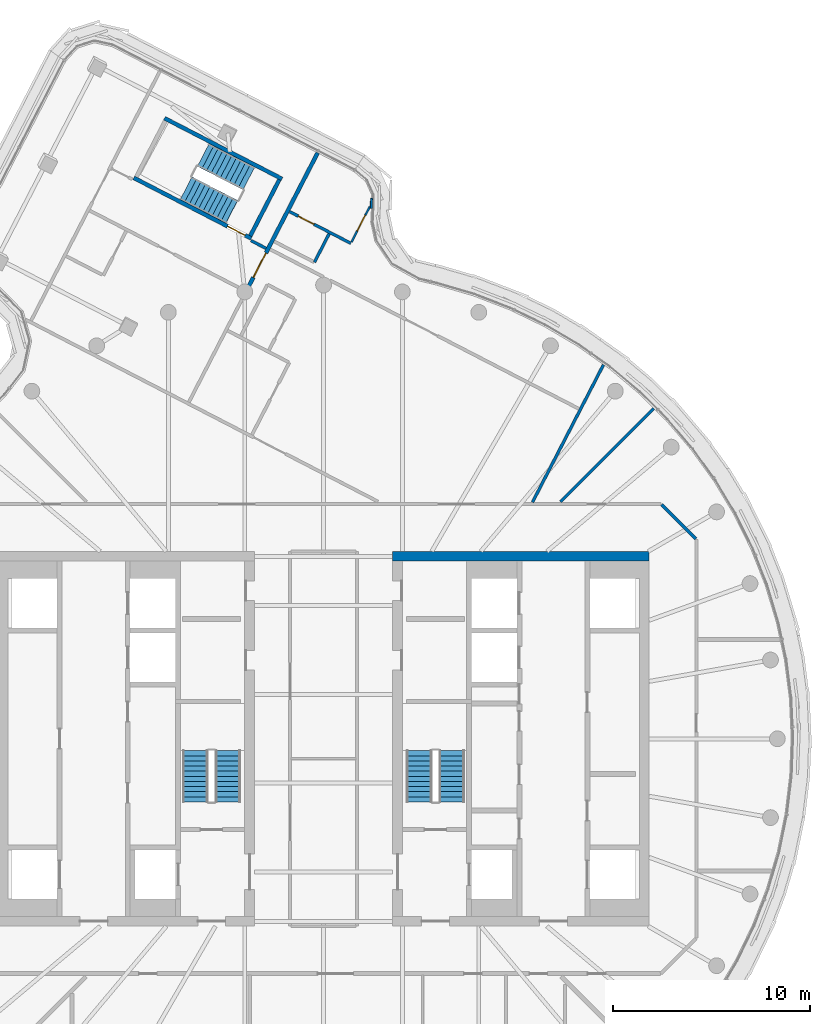
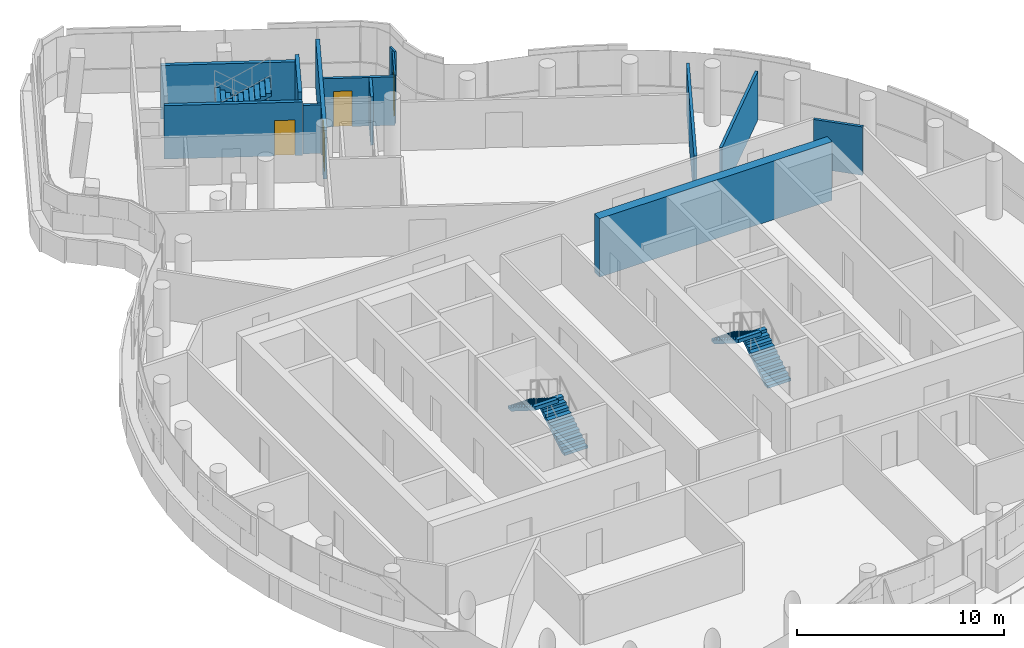
# One storey, part 16 of 21: 13 walls, 6 stair flights, 4 doors, 4 openings, 3 elements without a shape of their own.
"""IFC4 building model written with IfcOpenShell, lengths in metres."""

from ifc_helpers import new_model, si_unit, direction, frame, frame_2d, origin, place, context, subcontext, project, spatial, polyline, rectangle, outline, extrude, material, layer, layer_set, type_object, element, fill, aggregate, save


model = new_model("IFC4")

# Units and contexts
model_context = context("Model", 3, precision=1e-05, world=origin(), true_north=direction((0.0, 1.0)))
body_context = subcontext(model_context, "Body", "Model", "MODEL_VIEW")
ifc_project = project(units=[si_unit("LENGTHUNIT", "METRE"), si_unit("AREAUNIT", "SQUARE_METRE"), si_unit("VOLUMEUNIT", "CUBIC_METRE"), si_unit("PLANEANGLEUNIT", "RADIAN"), si_unit("MASSUNIT", "GRAM", prefix="KILO")], contexts=[model_context])

# Site, building, storey
site_placement = place(None, origin())
site = spatial("IfcSite", under=ifc_project, at=site_placement, CompositionType="ELEMENT")
building_placement = place(site_placement, origin())
building = spatial("IfcBuilding", under=site, at=building_placement, Name="Tamarind Cross Interchange Tower", CompositionType="ELEMENT")
storey_placement = place(building_placement, frame((0.0, 0.0, 260.39990234375)))
storey = spatial("IfcBuildingStorey", under=building, at=storey_placement, Name="L66", CompositionType="ELEMENT", Elevation=260.39990234375)

# Wall
ifc_material_1 = material(Name="Concrete C50", Category="concrete")
ifc_layer_1 = layer(ifc_material_1, 0.5)
ifc_layer_set_1 = layer_set([ifc_layer_1], Name="Concrete C50")
wall_type_1 = type_object("IfcWallType", Name="Core wall 500 mm Concrete C50", PredefinedType="SHEAR", material=ifc_layer_set_1)
wall_1_placement = place(storey_placement, frame((16.5, 9.25, 0.0), z_axis=(0.0, 0.0, 1.0), x_axis=(-1.0, 0.0, 0.0)))
element("IfcWall", 1, at=wall_1_placement, inside=storey, type_object=wall_type_1, Name="Core wall CWL-L66-E-NE", PredefinedType="SHEAR", context=body_context, shape_type="SweptSolid", body=[
    extrude(rectangle(XDim=13.0, YDim=0.5, at=frame_2d((6.5, 0.0))), origin(), (0.0, 0.0, 1.0), 3.460205078125),
])

# Wall, opening, door
ifc_material_2 = material(Name="Gypsum board partition on steel studs", Category="steel")
ifc_layer_2 = layer(ifc_material_2, 0.10009765625)
ifc_layer_set_2 = layer_set([ifc_layer_2], Name="Gypsum board partition on steel studs")
wall_type_2 = type_object("IfcWallType", Name="Partition 100 mm EI 90", PredefinedType="PARTITIONING", material=ifc_layer_set_2)
wall_2_placement = place(storey_placement, frame((1.416259765625, 25.1796875, 0.0), z_axis=(0.0, 0.0, 1.0), x_axis=(0.458747305615, 0.888566772725, 0.0)))
wall_2 = element("IfcWall", 2, at=wall_2_placement, inside=storey, type_object=wall_type_2, Name="Partition L66-037", PredefinedType="PARTITIONING", context=body_context, shape_type="SweptSolid", body=[
    extrude(rectangle(XDim=2.025634765625, YDim=0.10009765625, at=frame_2d((1.0126953125, 0.0))), origin(), (0.0, 0.0, 1.0), 2.864013671875),
])
opening_1_placement = place(wall_2_placement, frame((0.625, 0.0, 0.0)))
opening_1 = element("IfcOpeningElement", 3, at=opening_1_placement, cuts=wall_2, Name="Opening D19", PredefinedType="OPENING", context=body_context, shape_type="SweptSolid", body=[
    extrude(rectangle(XDim=0.89990234375, YDim=2.10009765625, at=frame_2d((0.449951171875, 1.050048828125))), frame((0.0, 0.06005859375, 0.0), z_axis=(0.0, -1.0, 0.0), x_axis=(1.0, 0.0, 0.0)), (0.0, 0.0, 1.0), 0.1201171875),
])
ifc_material_3 = material(Name="Fire-resisting door set")
door_type_1 = type_object("IfcDoorType", Name="Interior door 900 x 2100 FD60S", OperationType="SINGLE_SWING_LEFT", PredefinedType="DOOR", material=ifc_material_3)
door_1_placement = place(opening_1_placement, origin())
door_1 = element("IfcDoor", 4, at=door_1_placement, inside=storey, type_object=door_type_1, Name="Door D19", OperationType="SINGLE_SWING_LEFT", OverallHeight=2.10009765625, OverallWidth=0.89990234375, PredefinedType="DOOR", context=body_context, shape_type="SweptSolid", body=[
    extrude(rectangle(XDim=0.89990234375, YDim=2.10009765625, at=frame_2d((0.449951171875, 1.050048828125))), frame((0.0, 0.02490234375, 0.0), z_axis=(0.0, -1.0, 0.0), x_axis=(1.0, 0.0, 0.0)), (0.0, 0.0, 1.0), 0.050048828125),
])
fill(opening_1, door_1)

# Walls
wall_3_placement = place(storey_placement, frame((2.420166015625, 26.885009765625, 0.0), z_axis=(0.0, 0.0, 1.0), x_axis=(0.022943177842, 0.99973677065, 0.0)))
element("IfcWall", 5, at=wall_3_placement, inside=storey, type_object=wall_type_2, Name="Partition L66-050", PredefinedType="PARTITIONING", context=body_context, shape_type="SweptSolid", body=[
    extrude(rectangle(XDim=0.500244140625, YDim=0.10009765625, at=frame_2d((0.25, 0.0))), origin(), (0.0, 0.0, 1.0), 2.864013671875),
])
ifc_layer_3 = layer(ifc_material_2, 0.14990234375)
ifc_layer_set_3 = layer_set([ifc_layer_3], Name="Gypsum board partition on steel studs")
wall_type_3 = type_object("IfcWallType", Name="Partition 150 mm EI 120", PredefinedType="PARTITIONING", material=ifc_layer_set_3)
wall_4_placement = place(storey_placement, frame((17.12841796875, 11.87158203125, 0.0), z_axis=(0.0, 0.0, 1.0), x_axis=(0.707106781187, -0.707106781187, 0.0)))
element("IfcWall", 6, at=wall_4_placement, inside=storey, type_object=wall_type_3, Name="Partition L66-004", PredefinedType="PARTITIONING", context=body_context, shape_type="SweptSolid", body=[
    extrude(rectangle(XDim=2.465087890625, YDim=0.14990234375, at=frame_2d((1.232421875, 0.0))), origin(), (0.0, 0.0, 1.0), 2.864013671875),
])
wall_5_placement = place(storey_placement, frame((-3.6787109375, 25.250244140625, 0.0), z_axis=(0.0, 0.0, 1.0), x_axis=(0.888616923334, -0.458650153782, 0.0)))
element("IfcWall", 7, at=wall_5_placement, inside=storey, type_object=wall_type_3, Name="Partition L66-009", PredefinedType="PARTITIONING", context=body_context, shape_type="SweptSolid", body=[
    extrude(rectangle(XDim=0.859619140625, YDim=0.14990234375, at=frame_2d((0.4296875, 0.0))), origin(), (0.0, 0.0, 1.0), 2.864013671875),
])

# Wall, opening, door
wall_6_placement = place(storey_placement, frame((-1.72265625, 26.716796875, 0.0), z_axis=(0.0, 0.0, 1.0), x_axis=(0.888352291306, -0.459162505581, 0.0)))
wall_6 = element("IfcWall", 8, at=wall_6_placement, inside=storey, type_object=wall_type_3, Name="Partition L66-015", PredefinedType="PARTITIONING", context=body_context, shape_type="SweptSolid", body=[
    extrude(rectangle(XDim=3.494384765625, YDim=0.14990234375, at=frame_2d((1.7470703125, 0.0))), origin(), (0.0, 0.0, 1.0), 2.864013671875),
])
opening_2_placement = place(wall_6_placement, frame((0.4951171875, 0.0, 0.0)))
opening_2 = element("IfcOpeningElement", 9, at=opening_2_placement, cuts=wall_6, Name="Opening D05", PredefinedType="OPENING", context=body_context, shape_type="SweptSolid", body=[
    extrude(rectangle(XDim=0.89990234375, YDim=2.10009765625, at=frame_2d((0.449951171875, 1.050048828125))), frame((0.0, 0.0849609375, 0.0), z_axis=(0.0, -1.0, 0.0), x_axis=(1.0, 0.0, 0.0)), (0.0, 0.0, 1.0), 0.169921875),
])
door_2_placement = place(opening_2_placement, frame((0.89990234375, 0.0, 0.0), z_axis=(0.0, 0.0, 1.0), x_axis=(-1.0, 0.0, 0.0)))
door_2 = element("IfcDoor", 10, at=door_2_placement, inside=storey, type_object=door_type_1, Name="Door D05", OperationType="SINGLE_SWING_LEFT", OverallHeight=2.10009765625, OverallWidth=0.89990234375, PredefinedType="DOOR", context=body_context, shape_type="SweptSolid", body=[
    extrude(rectangle(XDim=0.89990234375, YDim=2.10009765625, at=frame_2d((0.449951171875, 1.050048828125))), frame((0.0, 0.02490234375, 0.0), z_axis=(0.0, -1.0, 0.0), x_axis=(1.0, 0.0, 0.0)), (0.0, 0.0, 1.0), 0.050048828125),
])
fill(opening_2, door_2)

# Walls
wall_7_placement = place(storey_placement, frame((12.009521484375, 12.009521484375, 0.0), z_axis=(0.0, 0.0, 1.0), x_axis=(0.707106781187, 0.707106781187, 0.0)))
element("IfcWall", 11, at=wall_7_placement, inside=storey, type_object=wall_type_3, Name="Partition L66-029", PredefinedType="PARTITIONING", context=body_context, shape_type="SweptSolid", body=[
    extrude(rectangle(XDim=6.690673828125, YDim=0.14990234375, at=frame_2d((3.34521484375, 0.0))), origin(), (0.0, 0.0, 1.0), 2.864013671875),
])
wall_8_placement = place(storey_placement, frame((-0.463134765625, 24.152587890625, 0.0), z_axis=(0.0, 0.0, 1.0), x_axis=(0.459136695029, 0.888365631527, 0.0)))
element("IfcWall", 12, at=wall_8_placement, inside=storey, type_object=wall_type_3, Name="Partition L66-039", PredefinedType="PARTITIONING", context=body_context, shape_type="SweptSolid", body=[
    extrude(rectangle(XDim=1.62451171875, YDim=0.14990234375, at=frame_2d((0.812255859375, 0.0))), origin(), (0.0, 0.0, 1.0), 2.864013671875),
])
wall_9_placement = place(storey_placement, frame((10.589111328125, 11.993408203125, 0.0), z_axis=(0.0, 0.0, 1.0), x_axis=(0.458841921055, 0.888517918493, 0.0)))
element("IfcWall", 13, at=wall_9_placement, inside=storey, type_object=wall_type_3, Name="Partition L66-040", PredefinedType="PARTITIONING", context=body_context, shape_type="SweptSolid", body=[
    extrude(rectangle(XDim=7.843505859375, YDim=0.14990234375, at=frame_2d((3.921875, 0.0))), origin(), (0.0, 0.0, 1.0), 2.864013671875),
])

# Wall, opening, door
ifc_layer_4 = layer(ifc_material_2, 0.199951171875)
ifc_layer_set_4 = layer_set([ifc_layer_4], Name="Gypsum board partition on steel studs")
wall_type_4 = type_object("IfcWallType", Name="Partition 200 mm EI 180", PredefinedType="PARTITIONING", material=ifc_layer_set_4)
wall_10_placement = place(storey_placement, frame((-3.846923828125, 22.8310546875, 0.0), z_axis=(0.0, 0.0, 1.0), x_axis=(0.458980973869, 0.888446096072, 0.0)))
wall_10 = element("IfcWall", 14, at=wall_10_placement, inside=storey, type_object=wall_type_4, Name="Partition L66-034", PredefinedType="PARTITIONING", context=body_context, shape_type="SweptSolid", body=[
    extrude(rectangle(XDim=7.7255859375, YDim=0.199951171875, at=frame_2d((3.86279296875, 0.0))), origin(), (0.0, 0.0, 1.0), 2.864013671875),
])
opening_3_placement = place(wall_10_placement, frame((0.622802734375, 0.0, 0.0)))
opening_3 = element("IfcOpeningElement", 15, at=opening_3_placement, cuts=wall_10, Name="Opening D17", PredefinedType="OPENING", context=body_context, shape_type="SweptSolid", body=[
    extrude(rectangle(XDim=1.39990234375, YDim=2.10009765625, at=frame_2d((0.699951171875, 1.050048828125))), frame((0.0, 0.10986328125, 0.0), z_axis=(0.0, -1.0, 0.0), x_axis=(1.0, 0.0, 0.0)), (0.0, 0.0, 1.0), 0.219970703125),
])
door_type_2 = type_object("IfcDoorType", Name="Interior door 1400 x 2100 FD120S", OperationType="DOUBLE_DOOR_SINGLE_SWING", PredefinedType="DOOR", material=ifc_material_3)
door_3_placement = place(opening_3_placement, frame((1.39990234375, 0.0, 0.0), z_axis=(0.0, 0.0, 1.0), x_axis=(-1.0, 0.0, 0.0)))
door_3 = element("IfcDoor", 16, at=door_3_placement, inside=storey, type_object=door_type_2, Name="Door D17", OperationType="DOUBLE_DOOR_SINGLE_SWING", OverallHeight=2.10009765625, OverallWidth=1.39990234375, PredefinedType="DOOR", context=body_context, shape_type="SweptSolid", body=[
    extrude(rectangle(XDim=1.39990234375, YDim=2.10009765625, at=frame_2d((0.699951171875, 1.050048828125))), frame((0.0, 0.02490234375, 0.0), z_axis=(0.0, -1.0, 0.0), x_axis=(1.0, 0.0, 0.0)), (0.0, 0.0, 1.0), 0.050048828125),
])
fill(opening_3, door_3)

ifc_material_4 = material(Name="Concrete C40", Category="concrete")
ifc_layer_5 = layer(ifc_material_4, 0.199951171875)
ifc_layer_set_5 = layer_set([ifc_layer_5], Name="Concrete C40")
wall_type_5 = type_object("IfcWallType", Name="Stair shaft wall 200 mm Concrete C40", PredefinedType="SHEAR", material=ifc_layer_set_5)
wall_11_placement = place(storey_placement, frame((-3.66845703125, 25.357421875, -0.139892578125), z_axis=(0.0, 0.0, 1.0), x_axis=(-0.888520991089, 0.45883597112, 0.0)))
wall_11 = element("IfcWall", 17, at=wall_11_placement, inside=storey, type_object=wall_type_5, Name="Core wall CWL-L66-ST4-H", PredefinedType="SHEAR", context=body_context, shape_type="SweptSolid", body=[
    extrude(rectangle(XDim=6.699951171875, YDim=0.199951171875, at=frame_2d((3.35009765625, 0.0))), origin(), (0.0, 0.0, 1.0), 3.154052734375),
])
opening_4_placement = place(wall_11_placement, frame((0.35009765625, 0.0, 0.0)))
opening_4 = element("IfcOpeningElement", 18, at=opening_4_placement, cuts=wall_11, Name="Opening ST4L66", PredefinedType="OPENING", context=body_context, shape_type="SweptSolid", body=[
    extrude(rectangle(XDim=1.0, YDim=2.10009765625, at=frame_2d((0.5, 1.050048828125))), frame((0.0, 0.10986328125, 0.0), z_axis=(0.0, -1.0, 0.0), x_axis=(1.0, 0.0, 0.0)), (0.0, 0.0, 1.0), 0.219970703125),
])
ifc_material_5 = material(Name="Steel, fire-resisting", Category="steel")
door_type_3 = type_object("IfcDoorType", Name="Core fire door 1000 x 2100 FD90", OperationType="SINGLE_SWING_LEFT", PredefinedType="DOOR", material=ifc_material_5)
door_4_placement = place(opening_4_placement, origin())
door_4 = element("IfcDoor", 19, at=door_4_placement, inside=storey, type_object=door_type_3, Name="L66 stair door ST4", OperationType="SINGLE_SWING_LEFT", OverallHeight=2.10009765625, OverallWidth=1.0, PredefinedType="DOOR", context=body_context, shape_type="SweptSolid", body=[
    extrude(rectangle(XDim=1.0, YDim=2.10009765625, at=frame_2d((0.5, 1.050048828125))), frame((0.0, 0.02490234375, 0.0), z_axis=(0.0, -1.0, 0.0), x_axis=(1.0, 0.0, 0.0)), (0.0, 0.0, 1.0), 0.050048828125),
])
fill(opening_4, door_4)

# Walls
wall_12_placement = place(storey_placement, frame((-2.1083984375, 28.37841796875, -0.139892578125), z_axis=(0.0, 0.0, 1.0), x_axis=(-0.888520991089, 0.45883597112, 0.0)))
element("IfcWall", 20, at=wall_12_placement, inside=storey, type_object=wall_type_5, Name="Core wall CWL-L66-ST4-C", PredefinedType="SHEAR", context=body_context, shape_type="SweptSolid", body=[
    extrude(rectangle(XDim=6.699951171875, YDim=0.199951171875, at=frame_2d((3.35009765625, 0.0))), origin(), (0.0, 0.0, 1.0), 3.154052734375),
])
wall_13_placement = place(storey_placement, frame((-2.2431640625, 28.33544921875, -0.139892578125), z_axis=(0.0, 0.0, 1.0), x_axis=(-0.458833362648, -0.88852233811, 0.0)))
element("IfcWall", 21, at=wall_13_placement, inside=storey, type_object=wall_type_5, Name="Core wall CWL-L66-ST4-CE", PredefinedType="SHEAR", context=body_context, shape_type="SweptSolid", body=[
    extrude(rectangle(XDim=3.199951171875, YDim=0.199951171875, at=frame_2d((1.60009765625, 0.0))), origin(), (0.0, 0.0, 1.0), 3.60009765625),
])

# Stair, stair flights
ifc_material_6 = material(Name="Exit stair")
stair_type = type_object("IfcStairType", Name="Exit stair", PredefinedType="HALF_TURN_STAIR", material=ifc_material_6)
stair_1_placement = place(storey_placement, origin())
stair_1 = element("IfcStair", 22, at=stair_1_placement, inside=storey, type_object=stair_type, Name="L66 exit stair ST1", PredefinedType="HALF_TURN_STAIR")
ifc_material_7 = material(Name="Exit stair flight")
stair_flight_type = type_object("IfcStairFlightType", Name="Exit stair flight", PredefinedType="STRAIGHT", material=ifc_material_7)
stair_flight_1_placement = place(storey_placement, frame((-4.85009765625, -3.199951171875, 0.0), z_axis=(0.0, 0.0, 1.0), x_axis=(0.0, 1.0, 0.0)))
stair_flight_1 = element("IfcStairFlight", 23, at=stair_flight_1_placement, type_object=stair_flight_type, Name="ST1 flight 1", NumberOfRisers=11, NumberOfTreads=10, PredefinedType="STRAIGHT", RiserHeight=0.163636364, TreadLength=0.26, context=body_context, shape_type="SweptSolid", body=[
    extrude(outline(polyline([(0.0, 0.0), (0.0, 0.16357421875), (0.260009765625, 0.16357421875), (0.260009765625, 0.327392578125), (0.52001953125, 0.327392578125), (0.52001953125, 0.490966796875), (0.780029296875, 0.490966796875), (0.780029296875, 0.654541015625), (1.0400390625, 0.654541015625), (1.0400390625, 0.818115234375), (1.300048828125, 0.818115234375), (1.300048828125, 0.98193359375), (1.56005859375, 0.98193359375), (1.56005859375, 1.1455078125), (1.820068359375, 1.1455078125), (1.820068359375, 1.30908203125), (2.080078125, 1.30908203125), (2.080078125, 1.47265625), (2.340087890625, 1.47265625), (2.340087890625, 1.636474609375), (2.60009765625, 1.636474609375), (2.60009765625, 1.800048828125), (2.60009765625, 1.459228515625), (0.281494140625, 0.0), (0.0, 0.0)])), frame((0.0, 0.64990234375, 0.0), z_axis=(0.0, -1.0, 0.0), x_axis=(1.0, 0.0, 0.0)), (0.0, 0.0, 1.0), 1.300048828125),
])
stair_flight_2_placement = place(storey_placement, frame((-6.5, -0.60009765625, 1.800048828125), z_axis=(0.0, 0.0, 1.0), x_axis=(0.0, -1.0, 0.0)))
stair_flight_2 = element("IfcStairFlight", 24, at=stair_flight_2_placement, type_object=stair_flight_type, Name="ST1 flight 2", NumberOfRisers=11, NumberOfTreads=10, PredefinedType="STRAIGHT", RiserHeight=0.163636364, TreadLength=0.26, context=body_context, shape_type="SweptSolid", body=[
    extrude(outline(polyline([(0.0, 0.0), (0.0, 0.16357421875), (0.260009765625, 0.16357421875), (0.260009765625, 0.327392578125), (0.52001953125, 0.327392578125), (0.52001953125, 0.490966796875), (0.780029296875, 0.490966796875), (0.780029296875, 0.654541015625), (1.0400390625, 0.654541015625), (1.0400390625, 0.818115234375), (1.300048828125, 0.818115234375), (1.300048828125, 0.98193359375), (1.56005859375, 0.98193359375), (1.56005859375, 1.1455078125), (1.820068359375, 1.1455078125), (1.820068359375, 1.30908203125), (2.080078125, 1.30908203125), (2.080078125, 1.47265625), (2.340087890625, 1.47265625), (2.340087890625, 1.636474609375), (2.60009765625, 1.636474609375), (2.60009765625, 1.679931640625), (2.612060546875, 1.679931640625), (2.612060546875, 1.466796875), (0.281494140625, 0.0), (0.0, 0.0)])), frame((0.0, 0.64990234375, 0.0), z_axis=(0.0, -1.0, 0.0), x_axis=(1.0, 0.0, 0.0)), (0.0, 0.0, 1.0), 1.300048828125),
])
aggregate(stair_1, [stair_flight_1, stair_flight_2])

stair_2_placement = place(storey_placement, origin())
stair_2 = element("IfcStair", 25, at=stair_2_placement, inside=storey, type_object=stair_type, Name="L66 exit stair ST2", PredefinedType="HALF_TURN_STAIR")
stair_flight_3_placement = place(storey_placement, frame((6.5, -3.199951171875, 0.0), z_axis=(0.0, 0.0, 1.0), x_axis=(0.0, 1.0, 0.0)))
stair_flight_3 = element("IfcStairFlight", 26, at=stair_flight_3_placement, type_object=stair_flight_type, Name="ST2 flight 1", NumberOfRisers=11, NumberOfTreads=10, PredefinedType="STRAIGHT", RiserHeight=0.163636364, TreadLength=0.26, context=body_context, shape_type="SweptSolid", body=[
    extrude(outline(polyline([(0.0, 0.0), (0.0, 0.16357421875), (0.260009765625, 0.16357421875), (0.260009765625, 0.327392578125), (0.52001953125, 0.327392578125), (0.52001953125, 0.490966796875), (0.780029296875, 0.490966796875), (0.780029296875, 0.654541015625), (1.0400390625, 0.654541015625), (1.0400390625, 0.818115234375), (1.300048828125, 0.818115234375), (1.300048828125, 0.98193359375), (1.56005859375, 0.98193359375), (1.56005859375, 1.1455078125), (1.820068359375, 1.1455078125), (1.820068359375, 1.30908203125), (2.080078125, 1.30908203125), (2.080078125, 1.47265625), (2.340087890625, 1.47265625), (2.340087890625, 1.636474609375), (2.60009765625, 1.636474609375), (2.60009765625, 1.800048828125), (2.60009765625, 1.459228515625), (0.281494140625, 0.0), (0.0, 0.0)])), frame((0.0, 0.64990234375, 0.0), z_axis=(0.0, -1.0, 0.0), x_axis=(1.0, 0.0, 0.0)), (0.0, 0.0, 1.0), 1.300048828125),
])
stair_flight_4_placement = place(storey_placement, frame((4.85009765625, -0.60009765625, 1.800048828125), z_axis=(0.0, 0.0, 1.0), x_axis=(0.0, -1.0, 0.0)))
stair_flight_4 = element("IfcStairFlight", 27, at=stair_flight_4_placement, type_object=stair_flight_type, Name="ST2 flight 2", NumberOfRisers=11, NumberOfTreads=10, PredefinedType="STRAIGHT", RiserHeight=0.163636364, TreadLength=0.26, context=body_context, shape_type="SweptSolid", body=[
    extrude(outline(polyline([(0.0, 0.0), (0.0, 0.16357421875), (0.260009765625, 0.16357421875), (0.260009765625, 0.327392578125), (0.52001953125, 0.327392578125), (0.52001953125, 0.490966796875), (0.780029296875, 0.490966796875), (0.780029296875, 0.654541015625), (1.0400390625, 0.654541015625), (1.0400390625, 0.818115234375), (1.300048828125, 0.818115234375), (1.300048828125, 0.98193359375), (1.56005859375, 0.98193359375), (1.56005859375, 1.1455078125), (1.820068359375, 1.1455078125), (1.820068359375, 1.30908203125), (2.080078125, 1.30908203125), (2.080078125, 1.47265625), (2.340087890625, 1.47265625), (2.340087890625, 1.636474609375), (2.60009765625, 1.636474609375), (2.60009765625, 1.679931640625), (2.612060546875, 1.679931640625), (2.612060546875, 1.466796875), (0.281494140625, 0.0), (0.0, 0.0)])), frame((0.0, 0.64990234375, 0.0), z_axis=(0.0, -1.0, 0.0), x_axis=(1.0, 0.0, 0.0)), (0.0, 0.0, 1.0), 1.300048828125),
])
aggregate(stair_2, [stair_flight_3, stair_flight_4])

stair_3_placement = place(storey_placement, origin())
stair_3 = element("IfcStair", 28, at=stair_3_placement, inside=storey, type_object=stair_type, Name="L66 exit stair ST4", PredefinedType="HALF_TURN_STAIR")
stair_flight_5_placement = place(storey_placement, frame((-3.785400390625, 28.400390625, 0.0), z_axis=(0.0, 0.0, 1.0), x_axis=(-0.888521153828, 0.458835655982, 0.0)))
stair_flight_5 = element("IfcStairFlight", 29, at=stair_flight_5_placement, type_object=stair_flight_type, Name="ST4 flight 1", NumberOfRisers=11, NumberOfTreads=10, PredefinedType="STRAIGHT", RiserHeight=0.163636364, TreadLength=0.26, context=body_context, shape_type="SweptSolid", body=[
    extrude(outline(polyline([(0.0, 0.0), (0.0, 0.16357421875), (0.260009765625, 0.16357421875), (0.260009765625, 0.327392578125), (0.52001953125, 0.327392578125), (0.52001953125, 0.490966796875), (0.780029296875, 0.490966796875), (0.780029296875, 0.654541015625), (1.0400390625, 0.654541015625), (1.0400390625, 0.818115234375), (1.300048828125, 0.818115234375), (1.300048828125, 0.98193359375), (1.56005859375, 0.98193359375), (1.56005859375, 1.1455078125), (1.820068359375, 1.1455078125), (1.820068359375, 1.30908203125), (2.080078125, 1.30908203125), (2.080078125, 1.47265625), (2.340087890625, 1.47265625), (2.340087890625, 1.636474609375), (2.60009765625, 1.636474609375), (2.60009765625, 1.800048828125), (2.60009765625, 1.459228515625), (0.281494140625, 0.0), (0.0, 0.0)])), frame((0.0, 0.64990234375, 0.0), z_axis=(0.0, -1.0, 0.0), x_axis=(1.0, 0.0, 0.0)), (0.0, 0.0, 1.0), 1.300048828125),
])
stair_flight_6_placement = place(storey_placement, frame((-6.96728515625, 27.905029296875, 1.800048828125), z_axis=(0.0, 0.0, 1.0), x_axis=(0.888521153828, -0.458835655982, 0.0)))
stair_flight_6 = element("IfcStairFlight", 30, at=stair_flight_6_placement, type_object=stair_flight_type, Name="ST4 flight 2", NumberOfRisers=11, NumberOfTreads=10, PredefinedType="STRAIGHT", RiserHeight=0.163636364, TreadLength=0.26, context=body_context, shape_type="SweptSolid", body=[
    extrude(outline(polyline([(0.0, 0.0), (0.0, 0.16357421875), (0.260009765625, 0.16357421875), (0.260009765625, 0.327392578125), (0.52001953125, 0.327392578125), (0.52001953125, 0.490966796875), (0.780029296875, 0.490966796875), (0.780029296875, 0.654541015625), (1.0400390625, 0.654541015625), (1.0400390625, 0.818115234375), (1.300048828125, 0.818115234375), (1.300048828125, 0.98193359375), (1.56005859375, 0.98193359375), (1.56005859375, 1.1455078125), (1.820068359375, 1.1455078125), (1.820068359375, 1.30908203125), (2.080078125, 1.30908203125), (2.080078125, 1.47265625), (2.340087890625, 1.47265625), (2.340087890625, 1.636474609375), (2.60009765625, 1.636474609375), (2.60009765625, 1.679931640625), (2.612060546875, 1.679931640625), (2.612060546875, 1.466796875), (0.281494140625, 0.0), (0.0, 0.0)])), frame((0.0, 0.64990234375, 0.0), z_axis=(0.0, -1.0, 0.0), x_axis=(1.0, 0.0, 0.0)), (0.0, 0.0, 1.0), 1.300048828125),
])
aggregate(stair_3, [stair_flight_5, stair_flight_6])

save(model, "model.ifc")
